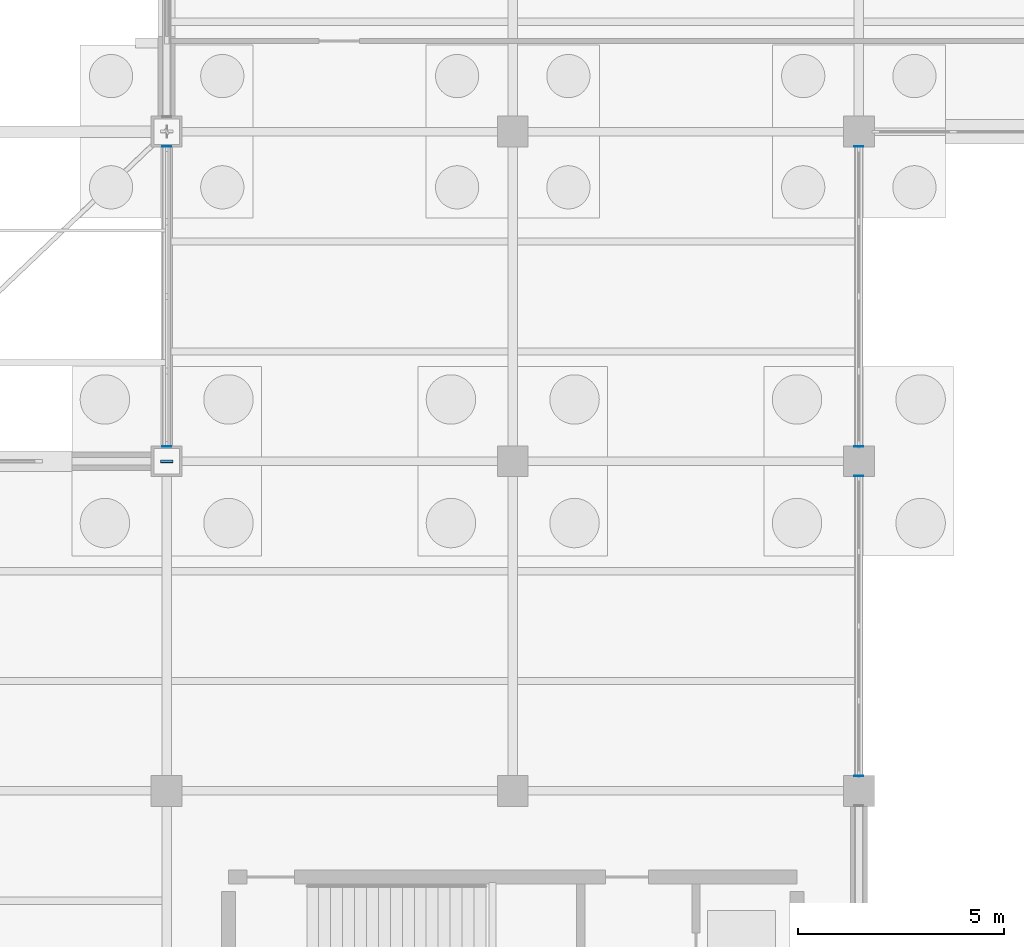
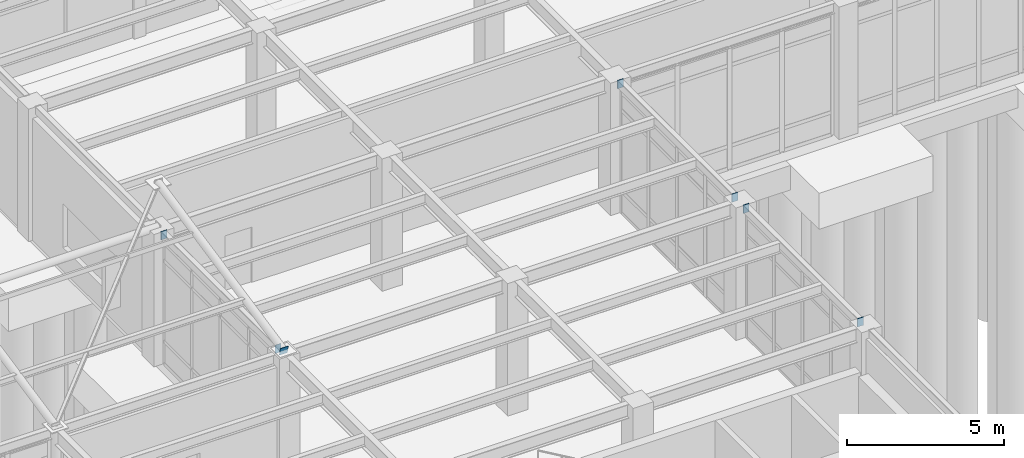
# One storey, part 112 of 138: 7 discrete accessories.
"""IFC4 building model written with IfcOpenShell, lengths in metres."""

from ifc_helpers import new_model, si_unit, direction, frame, origin, origin_2d, place, context, subcontext, project, spatial, rectangle, extrude, material, layer, layer_set, type_object, element, save


model = new_model("IFC4")

# Units and contexts
model_context = context("Model", 3, precision=1e-05, world=origin(), true_north=direction((0.0, 1.0)))
body_context = subcontext(model_context, "Body", "Model", "MODEL_VIEW")
ifc_project = project(units=[si_unit("LENGTHUNIT", "METRE"), si_unit("AREAUNIT", "SQUARE_METRE"), si_unit("VOLUMEUNIT", "CUBIC_METRE"), si_unit("PLANEANGLEUNIT", "RADIAN"), si_unit("MASSUNIT", "GRAM", prefix="KILO")], contexts=[model_context])

# Site, building, storey
site_placement = place(None, origin())
site = spatial("IfcSite", under=ifc_project, at=site_placement, CompositionType="ELEMENT")
building_placement = place(site_placement, origin())
building = spatial("IfcBuilding", under=site, at=building_placement, Name="Kranzveld Transit Interchange", CompositionType="ELEMENT")
storey_placement = place(building_placement, origin())
storey = spatial("IfcBuildingStorey", under=building, at=storey_placement, Name="L00", CompositionType="ELEMENT", Elevation=0.0)

# Discrete accessories
ifc_material = material(Name="Steel S355JR", Category="steel")
ifc_layer = layer(ifc_material, 0.02001953125)
ifc_layer_set = layer_set([ifc_layer], Name="Steel S355JR")
discrete_accessory_type = type_object("IfcDiscreteAccessoryType", Name="Hollow Section End Cap Bracket 20 S355JR", PredefinedType="BRACKET", material=ifc_layer_set)
for number, where, z_axis, x_axis, name in (
    (1, (100.800048828125, 88.368896484375, 5.0), (0.0, -1.0, 0.0), (1.0, 0.0, 0.0), "Hollow Section End Cap SP-RHS300-1"),
    (2, (100.800048828125, 95.631103515625, 5.0), (0.0, 1.0, 0.0), (-1.0, 0.0, 0.0), "Hollow Section End Cap SP-RHS300-2"),
    (3, (117.60009765625, 80.368896484375, 5.0), (0.0, -1.0, 0.0), (1.0, 0.0, 0.0), "Hollow Section End Cap SP-RHS300-1"),
    (4, (117.60009765625, 87.631103515625, 5.0), (0.0, 1.0, 0.0), (-1.0, 0.0, 0.0), "Hollow Section End Cap SP-RHS300-2"),
    (5, (117.60009765625, 88.368896484375, 5.0), (0.0, -1.0, 0.0), (1.0, 0.0, 0.0), "Hollow Section End Cap SP-RHS300-1"),
    (6, (117.60009765625, 95.631103515625, 5.0), (0.0, 1.0, 0.0), (-1.0, 0.0, 0.0), "Hollow Section End Cap SP-RHS300-2"),
):
    element("IfcDiscreteAccessory", number, at=place(storey_placement, frame(where, z_axis=z_axis, x_axis=x_axis)), inside=storey, type_object=discrete_accessory_type, Name=name, PredefinedType="BRACKET", context=body_context, shape_type="SweptSolid", body=[
        extrude(rectangle(XDim=0.22412109375, YDim=0.323974609375, at=origin_2d()), origin(), (0.0, 0.0, 1.0), 0.019775390625),
    ])
discrete_accessory_placement = place(storey_placement, frame((100.800048828125, 88.00390625, 5.140869140625), z_axis=(0.0, -0.978158850918, -0.20785875582), x_axis=(1.0, 0.0, 0.0)))
element("IfcDiscreteAccessory", 7, at=discrete_accessory_placement, inside=storey, type_object=discrete_accessory_type, Name="Hollow Section End Cap ST-CHS273-1", PredefinedType="BRACKET", context=body_context, shape_type="SweptSolid", body=[
    extrude(rectangle(XDim=0.297119140625, YDim=0.297119140625, at=origin_2d()), origin(), (0.0, 0.0, 1.0), 0.02001953125),
])

save(model, "model.ifc")
